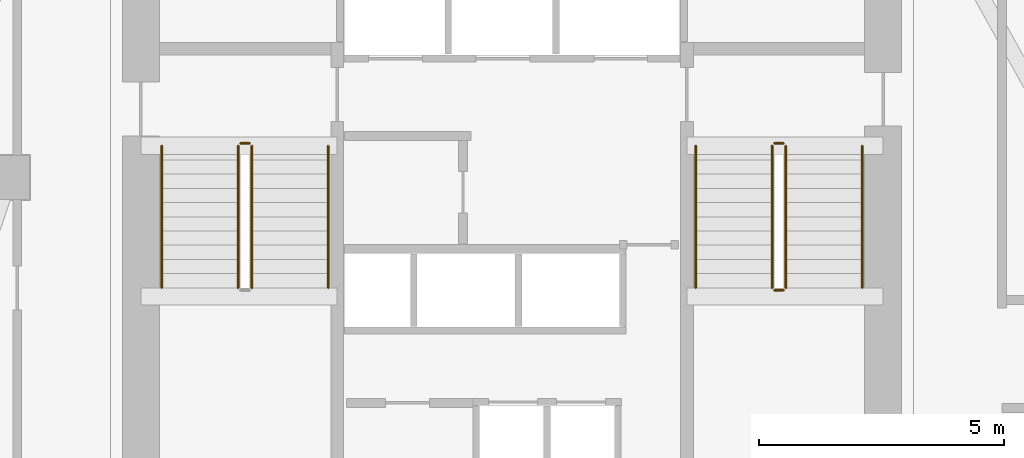
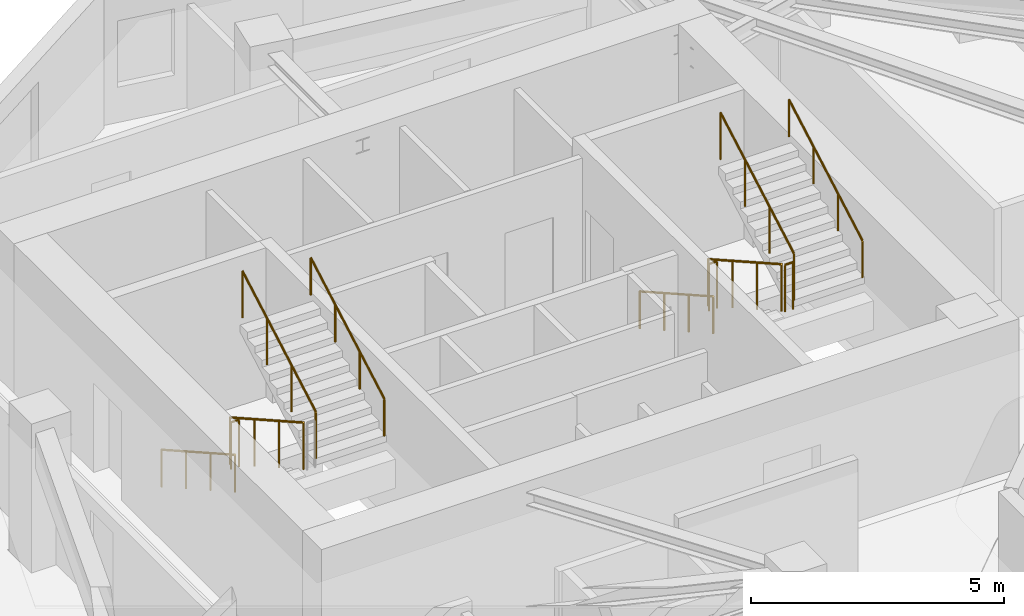
# One storey, part 11 of 11: 11 railings.
"""IFC4 building model written with IfcOpenShell, lengths in metres."""

from ifc_helpers import new_model, si_unit, direction, frame, origin, origin_2d, place, context, subcontext, project, spatial, circle, extrude, material, type_object, element, save


model = new_model("IFC4")

# Units and contexts
model_context = context("Model", 3, precision=1e-05, world=origin(), true_north=direction((0.0, 1.0)))
body_context = subcontext(model_context, "Body", "Model", "MODEL_VIEW")
ifc_project = project(units=[si_unit("LENGTHUNIT", "METRE"), si_unit("AREAUNIT", "SQUARE_METRE"), si_unit("VOLUMEUNIT", "CUBIC_METRE"), si_unit("PLANEANGLEUNIT", "RADIAN"), si_unit("MASSUNIT", "GRAM", prefix="KILO")], contexts=[model_context])

# Site, building, storey
site_placement = place(None, origin())
site = spatial("IfcSite", under=ifc_project, at=site_placement, CompositionType="ELEMENT")
building_placement = place(site_placement, origin())
building = spatial("IfcBuilding", under=site, at=building_placement, Name="Calvemar Wedge Station Tower", CompositionType="ELEMENT")
storey_placement = place(building_placement, frame((0.0, 0.0, 117.800048828125)))
storey = spatial("IfcBuildingStorey", under=building, at=storey_placement, Name="L28", CompositionType="ELEMENT", Elevation=117.800048828125)

# Railings
ifc_material_1 = material(Name="Stainless steel AISI 316L", Category="steel")
railing_type_1 = type_object("IfcRailingType", Name="RL-HANDRAIL-920", PredefinedType="HANDRAIL", material=ifc_material_1)
railing_1_placement = place(storey_placement, frame((16.64990234375, 41.14990234375, 0.16357421875)))
element("IfcRailing", 1, at=railing_1_placement, inside=storey, type_object=railing_type_1, Name="L28 ST-C1 stair handrail 1", PredefinedType="HANDRAIL", context=body_context, shape_type="SweptSolid", body=[
    extrude(circle(Radius=0.02392578125, at=origin_2d()), frame((0.0, 0.0, 0.89599609375), z_axis=(0.0, -0.870897200241, 0.491465224214), x_axis=(1.0, 0.0, 0.0)), (0.0, 0.0, 1.0), 3.329833984375),
    extrude(circle(Radius=0.02099609375, at=origin_2d()), origin(), (0.0, 0.0, 1.0), 0.871826171875),
    extrude(circle(Radius=0.02099609375, at=origin_2d()), frame((0.0, -0.966552734375, 0.54541015625)), (0.0, 0.0, 1.0), 0.871826171875),
    extrude(circle(Radius=0.02099609375, at=origin_2d()), frame((0.0, -1.933349609375, 1.091064453125)), (0.0, 0.0, 1.0), 0.871826171875),
    extrude(circle(Radius=0.02099609375, at=origin_2d()), frame((0.0, -2.89990234375, 1.636474609375)), (0.0, 0.0, 1.0), 0.871826171875),
])
railing_2_placement = place(storey_placement, frame((20.050048828125, 38.25, 1.963623046875)))
element("IfcRailing", 2, at=railing_2_placement, inside=storey, type_object=railing_type_1, Name="L28 ST-C1 stair handrail 2", PredefinedType="HANDRAIL", context=body_context, shape_type="SweptSolid", body=[
    extrude(circle(Radius=0.02392578125, at=origin_2d()), frame((0.0, 0.0, 0.89599609375), z_axis=(0.0, 0.870928581787, 0.491409610636), x_axis=(-1.0, 0.0, 0.0)), (0.0, 0.0, 1.0), 3.32958984375),
    extrude(circle(Radius=0.02099609375, at=origin_2d()), origin(), (0.0, 0.0, 1.0), 0.871826171875),
    extrude(circle(Radius=0.02099609375, at=origin_2d()), frame((0.0, 0.966552734375, 0.54541015625)), (0.0, 0.0, 1.0), 0.871826171875),
    extrude(circle(Radius=0.02099609375, at=origin_2d()), frame((0.0, 1.933349609375, 1.0908203125)), (0.0, 0.0, 1.0), 0.871826171875),
    extrude(circle(Radius=0.02099609375, at=origin_2d()), frame((0.0, 2.89990234375, 1.63623046875)), (0.0, 0.0, 1.0), 0.871826171875),
])
railing_3_placement = place(storey_placement, frame((27.550048828125, 41.14990234375, 0.16357421875)))
element("IfcRailing", 3, at=railing_3_placement, inside=storey, type_object=railing_type_1, Name="L28 ST-C2 stair handrail 1", PredefinedType="HANDRAIL", context=body_context, shape_type="SweptSolid", body=[
    extrude(circle(Radius=0.02392578125, at=origin_2d()), frame((0.0, 0.0, 0.89599609375), z_axis=(0.0, -0.870897200241, 0.491465224214), x_axis=(1.0, 0.0, 0.0)), (0.0, 0.0, 1.0), 3.329833984375),
    extrude(circle(Radius=0.02099609375, at=origin_2d()), origin(), (0.0, 0.0, 1.0), 0.871826171875),
    extrude(circle(Radius=0.02099609375, at=origin_2d()), frame((0.0, -0.966552734375, 0.54541015625)), (0.0, 0.0, 1.0), 0.871826171875),
    extrude(circle(Radius=0.02099609375, at=origin_2d()), frame((0.0, -1.933349609375, 1.091064453125)), (0.0, 0.0, 1.0), 0.871826171875),
    extrude(circle(Radius=0.02099609375, at=origin_2d()), frame((0.0, -2.89990234375, 1.636474609375)), (0.0, 0.0, 1.0), 0.871826171875),
])
railing_4_placement = place(storey_placement, frame((30.949951171875, 38.25, 1.963623046875)))
element("IfcRailing", 4, at=railing_4_placement, inside=storey, type_object=railing_type_1, Name="L28 ST-C2 stair handrail 2", PredefinedType="HANDRAIL", context=body_context, shape_type="SweptSolid", body=[
    extrude(circle(Radius=0.02392578125, at=origin_2d()), frame((0.0, 0.0, 0.89599609375), z_axis=(0.0, 0.870928581787, 0.491409610636), x_axis=(-1.0, 0.0, 0.0)), (0.0, 0.0, 1.0), 3.32958984375),
    extrude(circle(Radius=0.02099609375, at=origin_2d()), origin(), (0.0, 0.0, 1.0), 0.871826171875),
    extrude(circle(Radius=0.02099609375, at=origin_2d()), frame((0.0, 0.966552734375, 0.54541015625)), (0.0, 0.0, 1.0), 0.871826171875),
    extrude(circle(Radius=0.02099609375, at=origin_2d()), frame((0.0, 1.933349609375, 1.0908203125)), (0.0, 0.0, 1.0), 0.871826171875),
    extrude(circle(Radius=0.02099609375, at=origin_2d()), frame((0.0, 2.89990234375, 1.63623046875)), (0.0, 0.0, 1.0), 0.871826171875),
])
ifc_material_2 = material(Name="Painted steel guardrail ASTM A500 Grade C", Category="steel")
railing_type_2 = type_object("IfcRailingType", Name="RL-STAIR-GUARD-1150", PredefinedType="GUARDRAIL", material=ifc_material_2)
railing_5_placement = place(storey_placement, frame((18.2099609375, 41.14990234375, 0.16357421875)))
element("IfcRailing", 5, at=railing_5_placement, inside=storey, type_object=railing_type_2, Name="L28 ST-C1 stair guard 1", PredefinedType="GUARDRAIL", context=body_context, shape_type="SweptSolid", body=[
    extrude(circle(Radius=0.02392578125, at=origin_2d()), frame((0.0, 0.0, 1.1259765625), z_axis=(0.0, -0.870897200241, 0.491465224214), x_axis=(1.0, 0.0, 0.0)), (0.0, 0.0, 1.0), 3.329833984375),
    extrude(circle(Radius=0.02099609375, at=origin_2d()), origin(), (0.0, 0.0, 1.0), 1.101806640625),
    extrude(circle(Radius=0.02099609375, at=origin_2d()), frame((0.0, -0.966552734375, 0.54541015625)), (0.0, 0.0, 1.0), 1.101806640625),
    extrude(circle(Radius=0.02099609375, at=origin_2d()), frame((0.0, -1.933349609375, 1.091064453125)), (0.0, 0.0, 1.0), 1.101806640625),
    extrude(circle(Radius=0.02099609375, at=origin_2d()), frame((0.0, -2.89990234375, 1.636474609375)), (0.0, 0.0, 1.0), 1.101806640625),
])
railing_6_placement = place(storey_placement, frame((18.489990234375, 38.25, 1.963623046875)))
element("IfcRailing", 6, at=railing_6_placement, inside=storey, type_object=railing_type_2, Name="L28 ST-C1 stair guard 3", PredefinedType="GUARDRAIL", context=body_context, shape_type="SweptSolid", body=[
    extrude(circle(Radius=0.02392578125, at=origin_2d()), frame((0.0, 0.0, 1.1259765625), z_axis=(0.0, 0.870928581787, 0.491409610636), x_axis=(-1.0, 0.0, 0.0)), (0.0, 0.0, 1.0), 3.32958984375),
    extrude(circle(Radius=0.02099609375, at=origin_2d()), origin(), (0.0, 0.0, 1.0), 1.101806640625),
    extrude(circle(Radius=0.02099609375, at=origin_2d()), frame((0.0, 0.966552734375, 0.54541015625)), (0.0, 0.0, 1.0), 1.101806640625),
    extrude(circle(Radius=0.02099609375, at=origin_2d()), frame((0.0, 1.933349609375, 1.0908203125)), (0.0, 0.0, 1.0), 1.101806640625),
    extrude(circle(Radius=0.02099609375, at=origin_2d()), frame((0.0, 2.89990234375, 1.63623046875)), (0.0, 0.0, 1.0), 1.101806640625),
])
railing_7_placement = place(storey_placement, frame((18.260009765625, 41.199951171875, 0.0)))
element("IfcRailing", 7, at=railing_7_placement, inside=storey, type_object=railing_type_2, Name="L28 ST-C1 stair guard 4", PredefinedType="GUARDRAIL", context=body_context, shape_type="SweptSolid", body=[
    extrude(circle(Radius=0.02392578125, at=origin_2d()), frame((0.0, 0.0, 1.1259765625), z_axis=(1.0, 0.0, 0.0), x_axis=(0.0, 1.0, 0.0)), (0.0, 0.0, 1.0), 0.179931640625),
    extrude(circle(Radius=0.02099609375, at=origin_2d()), origin(), (0.0, 0.0, 1.0), 1.101806640625),
    extrude(circle(Radius=0.02099609375, at=origin_2d()), frame((0.179931640625, 0.0, 0.0)), (0.0, 0.0, 1.0), 1.101806640625),
])
railing_8_placement = place(storey_placement, frame((29.110107421875, 41.14990234375, 0.16357421875)))
element("IfcRailing", 8, at=railing_8_placement, inside=storey, type_object=railing_type_2, Name="L28 ST-C2 stair guard 1", PredefinedType="GUARDRAIL", context=body_context, shape_type="SweptSolid", body=[
    extrude(circle(Radius=0.02392578125, at=origin_2d()), frame((0.0, 0.0, 1.1259765625), z_axis=(0.0, -0.870897200241, 0.491465224214), x_axis=(1.0, 0.0, 0.0)), (0.0, 0.0, 1.0), 3.329833984375),
    extrude(circle(Radius=0.02099609375, at=origin_2d()), origin(), (0.0, 0.0, 1.0), 1.101806640625),
    extrude(circle(Radius=0.02099609375, at=origin_2d()), frame((0.0, -0.966552734375, 0.54541015625)), (0.0, 0.0, 1.0), 1.101806640625),
    extrude(circle(Radius=0.02099609375, at=origin_2d()), frame((0.0, -1.933349609375, 1.091064453125)), (0.0, 0.0, 1.0), 1.101806640625),
    extrude(circle(Radius=0.02099609375, at=origin_2d()), frame((0.0, -2.89990234375, 1.636474609375)), (0.0, 0.0, 1.0), 1.101806640625),
])
railing_9_placement = place(storey_placement, frame((29.159912109375, 38.199951171875, 1.800048828125)))
element("IfcRailing", 9, at=railing_9_placement, inside=storey, type_object=railing_type_2, Name="L28 ST-C2 stair guard 2", PredefinedType="GUARDRAIL", context=body_context, shape_type="SweptSolid", body=[
    extrude(circle(Radius=0.02392578125, at=origin_2d()), frame((0.0, 0.0, 1.1259765625), z_axis=(1.0, 0.0, 0.0), x_axis=(0.0, 1.0, 0.0)), (0.0, 0.0, 1.0), 0.18017578125),
    extrude(circle(Radius=0.02099609375, at=origin_2d()), origin(), (0.0, 0.0, 1.0), 1.101806640625),
    extrude(circle(Radius=0.02099609375, at=origin_2d()), frame((0.18017578125, 0.0, 0.0)), (0.0, 0.0, 1.0), 1.101806640625),
])
railing_10_placement = place(storey_placement, frame((29.389892578125, 38.25, 1.963623046875)))
element("IfcRailing", 10, at=railing_10_placement, inside=storey, type_object=railing_type_2, Name="L28 ST-C2 stair guard 3", PredefinedType="GUARDRAIL", context=body_context, shape_type="SweptSolid", body=[
    extrude(circle(Radius=0.02392578125, at=origin_2d()), frame((0.0, 0.0, 1.1259765625), z_axis=(0.0, 0.870928581787, 0.491409610636), x_axis=(-1.0, 0.0, 0.0)), (0.0, 0.0, 1.0), 3.32958984375),
    extrude(circle(Radius=0.02099609375, at=origin_2d()), origin(), (0.0, 0.0, 1.0), 1.101806640625),
    extrude(circle(Radius=0.02099609375, at=origin_2d()), frame((0.0, 0.966552734375, 0.54541015625)), (0.0, 0.0, 1.0), 1.101806640625),
    extrude(circle(Radius=0.02099609375, at=origin_2d()), frame((0.0, 1.933349609375, 1.0908203125)), (0.0, 0.0, 1.0), 1.101806640625),
    extrude(circle(Radius=0.02099609375, at=origin_2d()), frame((0.0, 2.89990234375, 1.63623046875)), (0.0, 0.0, 1.0), 1.101806640625),
])
railing_11_placement = place(storey_placement, frame((29.159912109375, 41.199951171875, 0.0)))
element("IfcRailing", 11, at=railing_11_placement, inside=storey, type_object=railing_type_2, Name="L28 ST-C2 stair guard 4", PredefinedType="GUARDRAIL", context=body_context, shape_type="SweptSolid", body=[
    extrude(circle(Radius=0.02392578125, at=origin_2d()), frame((0.0, 0.0, 1.1259765625), z_axis=(1.0, 0.0, 0.0), x_axis=(0.0, 1.0, 0.0)), (0.0, 0.0, 1.0), 0.18017578125),
    extrude(circle(Radius=0.02099609375, at=origin_2d()), origin(), (0.0, 0.0, 1.0), 1.101806640625),
    extrude(circle(Radius=0.02099609375, at=origin_2d()), frame((0.18017578125, 0.0, 0.0)), (0.0, 0.0, 1.0), 1.101806640625),
])

save(model, "model.ifc")
